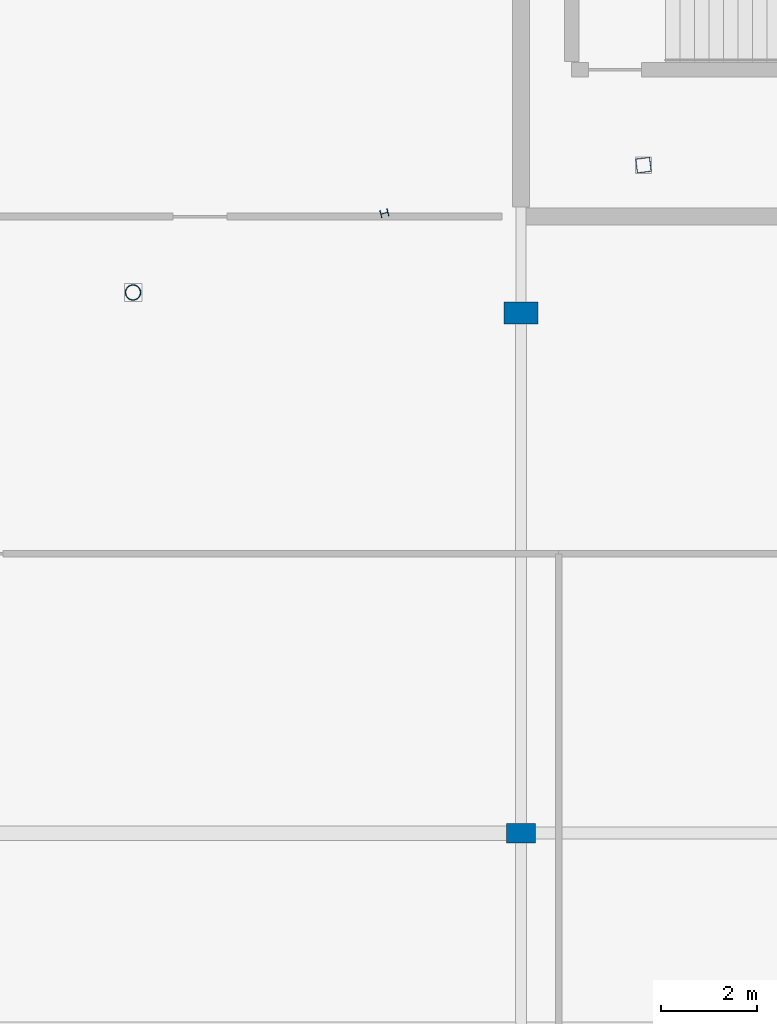
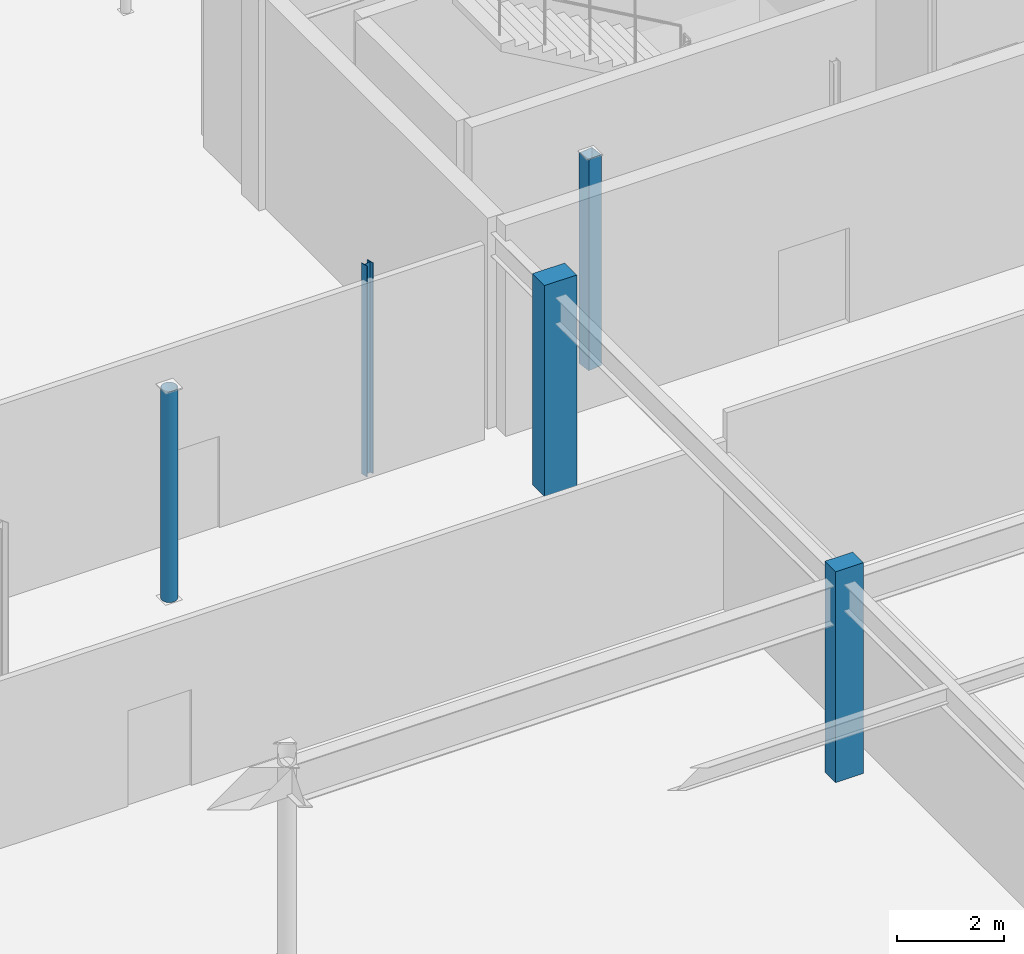
# One storey, part 31 of 199: 5 columns.
"""IFC4 building model written with IfcOpenShell, lengths in metres."""

from ifc_helpers import new_model, si_unit, direction, frame, origin, origin_2d, place, context, subcontext, project, spatial, rectangle, hollow_rectangle, hollow_circle, i_section, extrude, material, material_profile, profile_set, type_object, element, save


model = new_model("IFC4")

# Units and contexts
model_context = context("Model", 3, precision=1e-05, world=origin(), true_north=direction((0.0, 1.0)))
body_context = subcontext(model_context, "Body", "Model", "MODEL_VIEW")
ifc_project = project(units=[si_unit("LENGTHUNIT", "METRE"), si_unit("AREAUNIT", "SQUARE_METRE"), si_unit("VOLUMEUNIT", "CUBIC_METRE"), si_unit("PLANEANGLEUNIT", "RADIAN"), si_unit("MASSUNIT", "GRAM", prefix="KILO")], contexts=[model_context])

# Site, building, storey
site_placement = place(None, origin())
site = spatial("IfcSite", under=ifc_project, at=site_placement, CompositionType="ELEMENT")
building_placement = place(site_placement, origin())
building = spatial("IfcBuilding", under=site, at=building_placement, Name="Tarnwether General Hospital", CompositionType="ELEMENT")
storey_placement = place(building_placement, origin())
storey = spatial("IfcBuildingStorey", under=building, at=storey_placement, Name="L00", CompositionType="ELEMENT", Elevation=0.0)

# Columns
ifc_material_1 = material(Name="Concrete 50 MPa", Category="concrete")
ifc_material_profile_1 = material_profile(ifc_material_1, rectangle(XDim=0.39990234375, YDim=0.60009765625, at=origin_2d()), Name="RC-PIL-400x600")
ifc_profile_set_1 = profile_set([ifc_material_profile_1], Name="Concrete 50 MPa")
column_type_1 = type_object("IfcColumnType", Name="COL-21", PredefinedType="PILASTER", material=ifc_profile_set_1)
column_1_placement = place(storey_placement, frame((84.0, 93.60009765625, 0.0), z_axis=(0.0, 0.0, 1.0), x_axis=(0.0, 1.0, 0.0)))
element("IfcColumn", 1, at=column_1_placement, inside=storey, type_object=column_type_1, Name="Column COLG-L00-8400_9360", PredefinedType="PILASTER", context=body_context, shape_type="SweptSolid", body=[
    extrude(rectangle(XDim=0.39990234375, YDim=0.60009765625, at=origin_2d()), origin(), (0.0, 0.0, 1.0), 4.800048828125),
])
ifc_material_2 = material(Name="Concrete 50 MPa", Category="concrete")
ifc_material_profile_2 = material_profile(ifc_material_2, rectangle(XDim=0.449951171875, YDim=0.699951171875, at=origin_2d()), Name="RC-PIL-450x700")
ifc_profile_set_2 = profile_set([ifc_material_profile_2], Name="Concrete 50 MPa")
column_type_2 = type_object("IfcColumnType", Name="COL-22", PredefinedType="PILASTER", material=ifc_profile_set_2)
column_2_placement = place(storey_placement, frame((84.0, 104.39990234375, 0.0), z_axis=(0.0, 0.0, 1.0), x_axis=(0.0, 1.0, 0.0)))
element("IfcColumn", 2, at=column_2_placement, inside=storey, type_object=column_type_2, Name="Column COLG-L00-8400_10440", PredefinedType="PILASTER", context=body_context, shape_type="SweptSolid", body=[
    extrude(rectangle(XDim=0.449951171875, YDim=0.699951171875, at=origin_2d()), origin(), (0.0, 0.0, 1.0), 4.800048828125),
])
ifc_material_3 = material(Name="Steel Grade C350L0 (350 MPa)", Category="steel")
ifc_material_profile_3 = material_profile(ifc_material_3, hollow_circle(Radius=0.161865234375, WallThickness=0.0126953125, at=origin_2d()), Name="CHS323.9x12.7")
ifc_profile_set_3 = profile_set([ifc_material_profile_3], Name="Steel Grade C350L0 (350 MPa)")
column_type_3 = type_object("IfcColumnType", Name="COL-26", PredefinedType="COLUMN", material=ifc_profile_set_3)
column_3_placement = place(storey_placement, frame((75.945068359375, 104.823974609375, 0.0), z_axis=(0.0, 0.0, 1.0), x_axis=(-0.358367949545, 0.933580426497, 0.0)))
element("IfcColumn", 3, at=column_3_placement, inside=storey, type_object=column_type_3, Name="Column COLG-L00-7594_10482", PredefinedType="COLUMN", context=body_context, shape_type="SweptSolid", body=[
    extrude(hollow_circle(Radius=0.161865234375, WallThickness=0.0126953125, at=origin_2d()), origin(), (0.0, 0.0, 1.0), 4.800048828125),
])
ifc_material_4 = material(Name="Steel Grade 350 (350 MPa)", Category="steel")
ifc_material_profile_4 = material_profile(ifc_material_4, i_section(OverallWidth=0.154052734375, OverallDepth=0.162109375, WebThickness=0.008056640625, FlangeThickness=0.011474609375, at=origin_2d()), Name="150UC37.2")
ifc_profile_set_4 = profile_set([ifc_material_profile_4], Name="Steel Grade 350 (350 MPa)")
column_type_4 = type_object("IfcColumnType", Name="COL-28", PredefinedType="COLUMN", material=ifc_profile_set_4)
column_4_placement = place(storey_placement, frame((81.162109375, 106.468994140625, 0.0), z_axis=(0.0, 0.0, 1.0), x_axis=(-0.2419218956, 0.970295726276, 0.0)))
element("IfcColumn", 4, at=column_4_placement, inside=storey, type_object=column_type_4, Name="Column COLG-L00-8116_10647", PredefinedType="COLUMN", context=body_context, shape_type="SweptSolid", body=[
    extrude(i_section(OverallWidth=0.154052734375, OverallDepth=0.162109375, WebThickness=0.008056640625, FlangeThickness=0.011474609375, at=origin_2d()), origin(), (0.0, 0.0, 1.0), 4.800048828125),
])
ifc_material_5 = material(Name="Steel Grade C350L0 (350 MPa)", Category="steel")
ifc_material_profile_5 = material_profile(ifc_material_5, hollow_rectangle(XDim=0.300048828125, YDim=0.300048828125, WallThickness=0.012451171875, at=origin_2d()), Name="SHS300x300x12.5")
ifc_profile_set_5 = profile_set([ifc_material_profile_5], Name="Steel Grade C350L0 (350 MPa)")
column_type_5 = type_object("IfcColumnType", Name="COL-30", PredefinedType="COLUMN", material=ifc_profile_set_5)
column_5_placement = place(storey_placement, frame((86.5400390625, 107.466064453125, 0.0), z_axis=(0.0, 0.0, 1.0), x_axis=(-0.121869343405, 0.992546151641, 0.0)))
element("IfcColumn", 5, at=column_5_placement, inside=storey, type_object=column_type_5, Name="Column COLG-L00-8654_10747", PredefinedType="COLUMN", context=body_context, shape_type="SweptSolid", body=[
    extrude(hollow_rectangle(XDim=0.300048828125, YDim=0.300048828125, WallThickness=0.012451171875, at=origin_2d()), origin(), (0.0, 0.0, 1.0), 4.800048828125),
])

save(model, "model.ifc")
